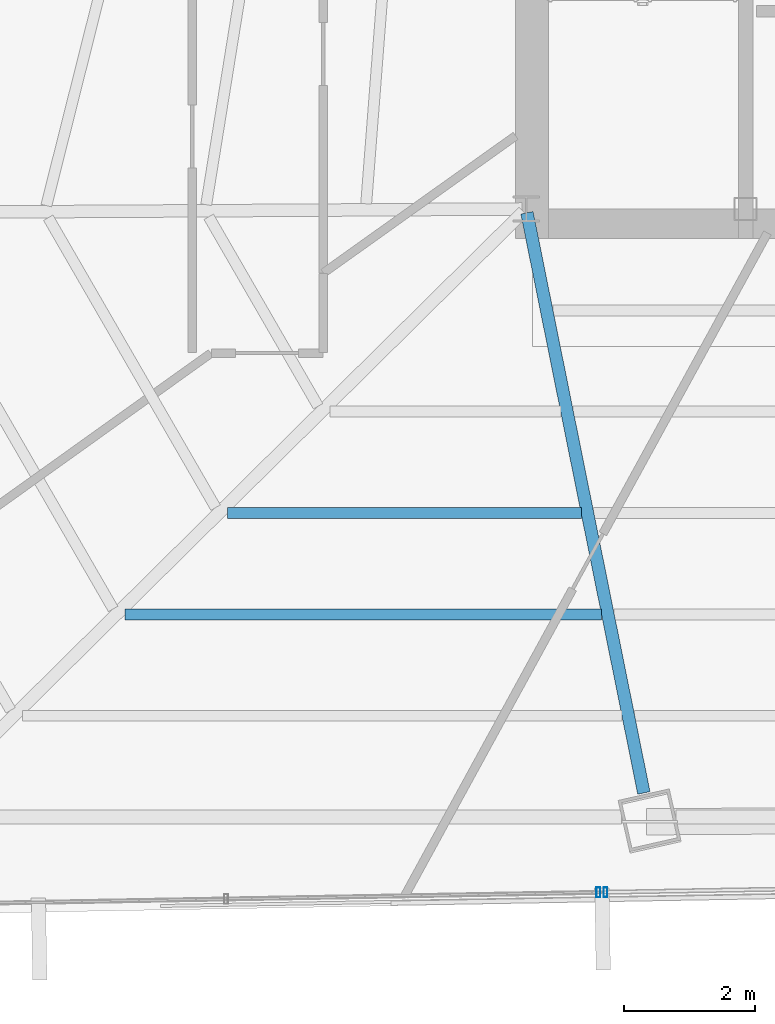
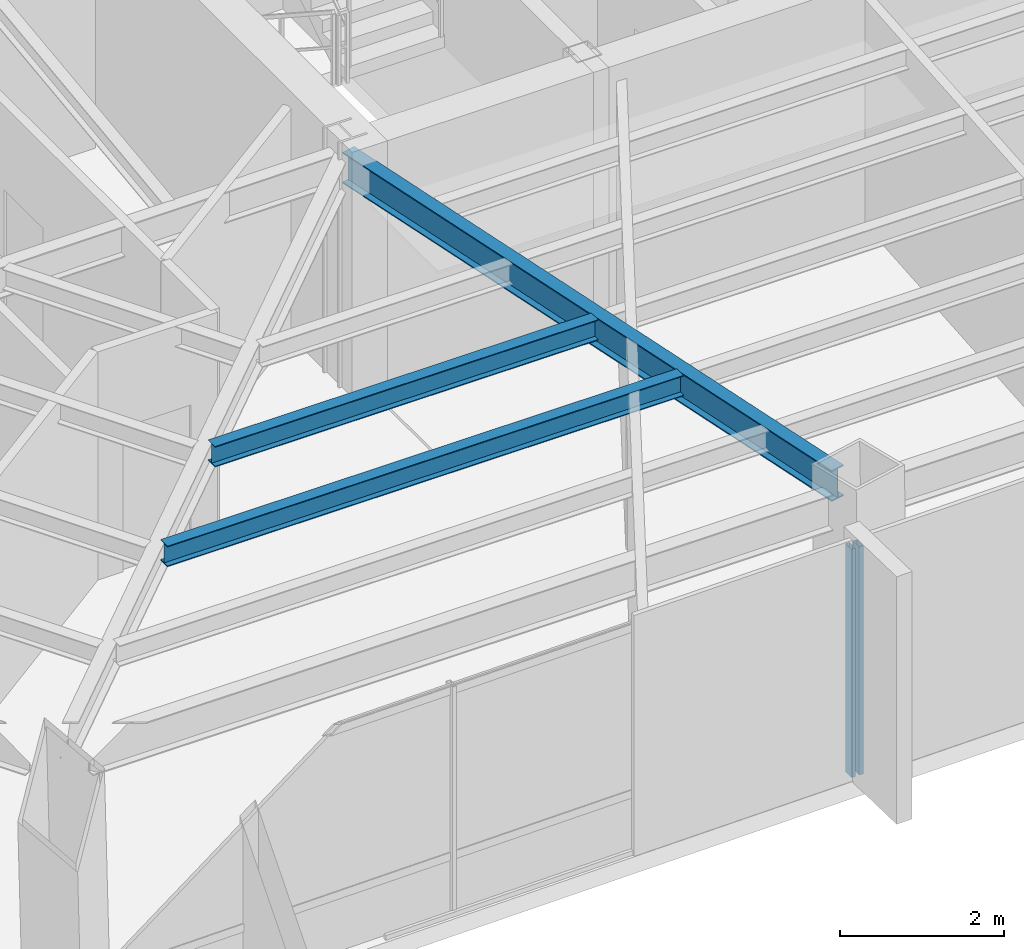
# One storey, part 12 of 42: 3 beams, 2 members, 2 elements without a shape of their own.
"""IFC4 building model written with IfcOpenShell, lengths in metres."""

import ifcopenshell
import ifcopenshell.guid

model = None  # the IFC model being written
_history = None  # IfcOwnerHistory: only IFC2X3 demands one
_inside = {}  # id of a spatial element -> (the spatial element, [elements in it])
_under = {}  # id of a project, library or spatial element -> (it, [spatial elements below it])
_declared = {}  # id of a project -> (the project, [libraries it declares])
_typed = {}  # id of a type object -> (the type object, [elements of that type])
_made_of = {}  # id of a material, layer set ... -> (it, [elements and type objects made of it])


def new_model(schema):
    """Start an empty IFC model of exactly this schema.

    Asked for "IFC4X3", IfcOpenShell would pick the latest addendum, in which some entities
    have other attributes; the version numbers below select the first issue.
    IFC2X3 requires an IfcOwnerHistory on every rooted entity: one is made here for all.
    """
    global model, _history
    if schema == "IFC4X3":
        model = ifcopenshell.file(schema_version=(4, 3, 0, 0))
    else:
        model = ifcopenshell.file(schema=schema)
    _inside.clear()
    _under.clear()
    _declared.clear()
    _typed.clear()
    _made_of.clear()
    _history = None
    if model.schema == "IFC2X3":
        org = make("IfcOrganization", Name="unknown")
        user = make(
            "IfcPersonAndOrganization",
            ThePerson=make("IfcPerson", FamilyName="unknown"),
            TheOrganization=org,
        )
        app = make(
            "IfcApplication",
            ApplicationDeveloper=org,
            Version="unknown",
            ApplicationFullName="unknown",
            ApplicationIdentifier="unknown",
        )
        _history = make(
            "IfcOwnerHistory",
            OwningUser=user,
            OwningApplication=app,
            ChangeAction="ADDED",
            CreationDate=0,
        )
    return model


def make(cls, **values):
    """One entity of the class cls with the attributes given. An attribute that is None is left unset."""
    return model.create_entity(
        cls, **{name: value for name, value in values.items() if value is not None}
    )


def rooted(cls, **values):
    """An entity with a GlobalId (a new one), such as an element, a storey or a relation."""
    return make(cls, GlobalId=ifcopenshell.guid.new(), OwnerHistory=_history, **values)


def si_unit(unit_type, name, prefix=None):
    """IfcSIUnit, for example si_unit("LENGTHUNIT", "METRE", prefix="MILLI")."""
    return make("IfcSIUnit", UnitType=unit_type, Prefix=prefix, Name=name)


def assignment(units):
    """IfcUnitAssignment: the units of a project."""
    return None if units is None else make("IfcUnitAssignment", Units=units)


def point(xyz):
    """IfcCartesianPoint."""
    return None if xyz is None else make("IfcCartesianPoint", Coordinates=xyz)


def direction(xyz):
    """IfcDirection."""
    return None if xyz is None else make("IfcDirection", DirectionRatios=xyz)


def frame(location, z_axis=None, x_axis=None):
    """IfcAxis2Placement3D, a coordinate frame: its origin and axes. An axis left out is left unset."""
    return make(
        "IfcAxis2Placement3D",
        Location=point(location),
        Axis=direction(z_axis),
        RefDirection=direction(x_axis),
    )


def frame_2d(location, x_axis=None):
    """IfcAxis2Placement2D, a coordinate frame in the plane: its origin and x axis."""
    return make(
        "IfcAxis2Placement2D", Location=point(location), RefDirection=direction(x_axis)
    )


def origin():
    """The frame at (0, 0, 0) with its axes left unset."""
    return frame((0.0, 0.0, 0.0))


def origin_2d():
    """The frame at (0, 0) in the plane with its x axis left unset."""
    return frame_2d((0.0, 0.0))


def place(relative_to, where):
    """IfcLocalPlacement: puts the frame where relative to a parent placement (None: the world)."""
    return make(
        "IfcLocalPlacement", PlacementRelTo=relative_to, RelativePlacement=where
    )


def context(
    kind, dimensions, precision=None, world=None, true_north=None, identifier=None
):
    """IfcGeometricRepresentationContext, for example the 3D "Model" context."""
    return make(
        "IfcGeometricRepresentationContext",
        ContextIdentifier=identifier,
        ContextType=kind,
        CoordinateSpaceDimension=dimensions,
        Precision=precision,
        WorldCoordinateSystem=world,
        TrueNorth=true_north,
    )


def subcontext(parent, identifier, kind, view, scale=None):
    """IfcGeometricRepresentationSubContext, for example "Body" below "Model"."""
    return make(
        "IfcGeometricRepresentationSubContext",
        ContextIdentifier=identifier,
        ContextType=kind,
        ParentContext=parent,
        TargetScale=scale,
        TargetView=view,
    )


def project(units=None, contexts=None):
    """IfcProject with its units and contexts."""
    return rooted(
        "IfcProject",
        Name="project",
        RepresentationContexts=contexts,
        UnitsInContext=assignment(units),
    )


def spatial(cls, under=None, at=None, **own):
    """A site, building, storey or space (cls), placed at a placement, below another one or the project."""
    s = rooted(cls, ObjectPlacement=at, **own)
    if under is not None:
        _under.setdefault(under.id(), (under, []))[1].append(s)
    return s


def profile(cls, at=None, kind="AREA", **sizes):
    """A parametric profile (cls). Its sizes go by their IFC names, for example OverallWidth=200.0."""
    return make(cls, ProfileType=kind, Position=at, **sizes)


def hollow_rectangle(**sizes):
    """IfcRectangleHollowProfileDef."""
    return profile("IfcRectangleHollowProfileDef", **sizes)


def i_section(**sizes):
    """IfcIShapeProfileDef."""
    return profile("IfcIShapeProfileDef", **sizes)


def extrude(swept, where, along, depth):
    """IfcExtrudedAreaSolid: the profile swept, set in the frame where, extruded along a direction by depth."""
    return make(
        "IfcExtrudedAreaSolid",
        SweptArea=swept,
        Position=where,
        ExtrudedDirection=direction(along),
        Depth=depth,
    )


def shape(context_of_items, identifier, shape_type, items):
    """IfcShapeRepresentation: the items that make up one representation, for example the "Body"."""
    return make(
        "IfcShapeRepresentation",
        ContextOfItems=context_of_items,
        RepresentationIdentifier=identifier,
        RepresentationType=shape_type,
        Items=items,
    )


def source(mapping_origin, context_of_items, identifier, shape_type, items):
    """IfcRepresentationMap: a shape defined once, which mapped items show again and again."""
    return make(
        "IfcRepresentationMap",
        MappingOrigin=mapping_origin,
        MappedRepresentation=shape(context_of_items, identifier, shape_type, items),
    )


def transform(
    local_origin,
    x_axis=None,
    y_axis=None,
    z_axis=None,
    scale=None,
    scale2=None,
    scale3=None,
    uniform=True,
):
    """IfcCartesianTransformationOperator3D, or its non-uniform kind. x_axis, y_axis, z_axis: its Axis1, 2, 3."""
    if uniform:
        return make(
            "IfcCartesianTransformationOperator3D",
            Axis1=direction(x_axis),
            Axis2=direction(y_axis),
            LocalOrigin=point(local_origin),
            Scale=scale,
            Axis3=direction(z_axis),
        )
    return make(
        "IfcCartesianTransformationOperator3DnonUniform",
        Axis1=direction(x_axis),
        Axis2=direction(y_axis),
        LocalOrigin=point(local_origin),
        Scale=scale,
        Axis3=direction(z_axis),
        Scale2=scale2,
        Scale3=scale3,
    )


def mapped(mapping_source, mapping_target):
    """IfcMappedItem: shows the shape of a source again, moved by a transform."""
    return make(
        "IfcMappedItem", MappingSource=mapping_source, MappingTarget=mapping_target
    )


def material(Name=None, Category=None):
    """IfcMaterial."""
    return make("IfcMaterial", Name=Name, Category=Category)


def material_profile(
    of_material, cross_section, Name=None, Category=None, Priority=None
):
    """IfcMaterialProfile: a cross section and its material."""
    return make(
        "IfcMaterialProfile",
        Name=Name,
        Material=of_material,
        Profile=cross_section,
        Priority=Priority,
        Category=Category,
    )


def profile_set(profiles, Name=None, composite=None):
    """IfcMaterialProfileSet."""
    return make(
        "IfcMaterialProfileSet",
        Name=Name,
        MaterialProfiles=profiles,
        CompositeProfile=composite,
    )


def made_of(thing, what):
    """Note that an element or type object is made of a material, layer set ...; save() writes the relation."""
    if what is not None:
        _made_of.setdefault(what.id(), (what, []))[1].append(thing)
    return thing


def type_object(cls, material=None, **own):
    """A type object (cls), such as IfcWallType, which elements share."""
    return made_of(rooted(cls, **own), material)


def type_shapes(of_type, sources):
    """Give a type object the sources (RepresentationMaps) that its elements show as mapped items."""
    of_type.RepresentationMaps = sources


def element(
    cls,
    number,
    at=None,
    inside=None,
    cuts=None,
    type_object=None,
    material=None,
    context=None,
    identifier="Body",
    shape_type=None,
    held_by="IfcProductDefinitionShape",
    body=None,
    shapes=None,
    **own,
):
    """One element of the class cls, such as IfcWall. Its Tag is "e" and its number.

    at: its placement. inside: the storey or other place that contains it. cuts: it is an
    opening in that element (IfcRelVoidsElement). A single representation is given by context,
    identifier, shape_type and body (its items); several are given by shapes. held_by: the class
    of the entity that holds the representations. save() writes the other relations.
    """
    e = rooted(cls, Tag="e%d" % number, ObjectPlacement=at, **own)
    if body is not None:
        shapes = [shape(context, identifier, shape_type, body)]
    if shapes is not None:
        e.Representation = make(held_by, Representations=shapes)
    if inside is not None:
        _inside.setdefault(inside.id(), (inside, []))[1].append(e)
    if cuts is not None:
        rooted(
            "IfcRelVoidsElement", RelatingBuildingElement=cuts, RelatedOpeningElement=e
        )
    if type_object is not None:
        _typed.setdefault(type_object.id(), (type_object, []))[1].append(e)
    return made_of(e, material)


def aggregate(whole, parts):
    """IfcRelAggregates: a whole, such as a stair, and the parts it consists of."""
    return rooted("IfcRelAggregates", RelatingObject=whole, RelatedObjects=parts)


def save(model, path):
    """Write the relations noted so far, then the file.

    IfcRelAggregates (storeys below a building ...), IfcRelContainedInSpatialStructure (elements
    in a storey), IfcRelDefinesByType, IfcRelAssociatesMaterial and IfcRelDeclares: one each for
    every whole, place, type object, material and project.
    """
    for whole, parts in _under.values():
        aggregate(whole, parts)
    for where, things in _inside.values():
        rooted(
            "IfcRelContainedInSpatialStructure",
            RelatedElements=things,
            RelatingStructure=where,
        )
    for kind, things in _typed.values():
        rooted("IfcRelDefinesByType", RelatedObjects=things, RelatingType=kind)
    for what, things in _made_of.values():
        rooted("IfcRelAssociatesMaterial", RelatedObjects=things, RelatingMaterial=what)
    for by, libraries in _declared.values():
        rooted("IfcRelDeclares", RelatingContext=by, RelatedDefinitions=libraries)
    model.write(path)


model = new_model("IFC4")

# Units and contexts
model_context = context("Model", 3, precision=1e-05, world=origin(), true_north=direction((0.0, 1.0)))
body_context = subcontext(model_context, "Body", "Model", "MODEL_VIEW")
ifc_project = project(units=[si_unit("LENGTHUNIT", "METRE"), si_unit("AREAUNIT", "SQUARE_METRE"), si_unit("VOLUMEUNIT", "CUBIC_METRE"), si_unit("PLANEANGLEUNIT", "RADIAN"), si_unit("MASSUNIT", "GRAM", prefix="KILO")], contexts=[model_context])

# Site, building, storey
site_placement = place(None, origin())
site = spatial("IfcSite", under=ifc_project, at=site_placement, CompositionType="ELEMENT")
building_placement = place(site_placement, origin())
building = spatial("IfcBuilding", under=site, at=building_placement, Name="Caelisora Broadcast Tower", CompositionType="ELEMENT")
storey_placement = place(building_placement, frame((0.0, 0.0, 191.35009765625)))
storey = spatial("IfcBuildingStorey", under=building, at=storey_placement, Name="L50", CompositionType="ELEMENT", Elevation=191.35009765625)

# Beams
ifc_material_1 = material(Name="Steel Grade 350 (AS/NZS 3679.1)", Category="steel")
ifc_material_profile_1 = material_profile(ifc_material_1, i_section(OverallWidth=0.19091796875, OverallDepth=0.46044921875, WebThickness=0.010009765625, FlangeThickness=0.01611328125, at=origin_2d()), Name="Steel Grade 350 (AS/NZS 3679.1)")
ifc_profile_set_1 = profile_set([ifc_material_profile_1], Name="Steel Grade 350 (AS/NZS 3679.1)")
beam_type_1 = type_object("IfcBeamType", Name="PG06", PredefinedType="BEAM", material=ifc_profile_set_1)
shared_shape_1 = source(origin(), body_context, "Body", "SweptSolid", [
    extrude(i_section(OverallWidth=0.19091796875, OverallDepth=0.46044921875, WebThickness=0.010009765625, FlangeThickness=0.01611328125, at=origin_2d()), origin(), (0.0, 0.0, 1.0), 9.034912109375),
])
type_shapes(beam_type_1, [shared_shape_1])
beam_1_placement = place(storey_placement, frame((30.511962890625, 17.34130859375, 3.169677734375), z_axis=(0.197529379552, -0.980296967359, 0.0), x_axis=(0.980296967359, 0.197529379552, 0.0)))
element("IfcBeam", 1, at=beam_1_placement, inside=storey, type_object=beam_type_1, Name="L50 beam PG06", PredefinedType="BEAM", context=body_context, shape_type="MappedRepresentation", body=[
    mapped(shared_shape_1, transform((0.0, 0.0, 0.0), scale=1.0)),
])
ifc_material_profile_2 = material_profile(ifc_material_1, i_section(OverallWidth=0.166015625, OverallDepth=0.30712890625, WebThickness=0.006591796875, FlangeThickness=0.01171875, at=origin_2d()), Name="Steel Grade 350 (AS/NZS 3679.1)")
ifc_profile_set_2 = profile_set([ifc_material_profile_2], Name="Steel Grade 350 (AS/NZS 3679.1)")
beam_type_2 = type_object("IfcBeamType", Name="SB03", PredefinedType="JOIST", material=ifc_profile_set_2)
shared_shape_2 = source(origin(), body_context, "Body", "SweptSolid", [
    extrude(i_section(OverallWidth=0.166015625, OverallDepth=0.30712890625, WebThickness=0.006591796875, FlangeThickness=0.01171875, at=origin_2d()), origin(), (0.0, 0.0, 1.0), 5.401611328125),
])
beam_2_placement = place(storey_placement, frame((25.939453125, 12.7578125, 3.246337890625), z_axis=(1.0, 0.0, 0.0), x_axis=(0.0, 1.0, 0.0)))
element("IfcBeam", 2, at=beam_2_placement, inside=storey, type_object=beam_type_2, Name="L50 beam SB03", PredefinedType="JOIST", context=body_context, shape_type="MappedRepresentation", body=[
    mapped(shared_shape_2, transform((0.0, 0.0, 0.0), scale=1.0)),
])
shared_shape_3 = source(origin(), body_context, "Body", "SweptSolid", [
    extrude(i_section(OverallWidth=0.166015625, OverallDepth=0.30712890625, WebThickness=0.006591796875, FlangeThickness=0.01171875, at=origin_2d()), origin(), (0.0, 0.0, 1.0), 7.27783203125),
])
type_shapes(beam_type_2, [shared_shape_2, shared_shape_3])
beam_3_placement = place(storey_placement, frame((24.375, 11.21044921875, 3.246337890625), z_axis=(1.0, 0.0, 0.0), x_axis=(0.0, 1.0, 0.0)))
element("IfcBeam", 3, at=beam_3_placement, inside=storey, type_object=beam_type_2, Name="L50 beam SB03", PredefinedType="JOIST", context=body_context, shape_type="MappedRepresentation", body=[
    mapped(shared_shape_3, transform((0.0, 0.0, 0.0), scale=1.0)),
])

# Curtain wall, member
ifc_material_2 = material(Name="Unitised Aluminium Insulated Shadow-Box Spandrel Curtain Wall", Category="aluminium")
curtain_wall_type_1 = type_object("IfcCurtainWallType", Name="CW-SP2", PredefinedType="NOTDEFINED", material=ifc_material_2)
curtain_wall_1_placement = place(storey_placement, origin())
curtain_wall_1 = element("IfcCurtainWall", 4, at=curtain_wall_1_placement, inside=storey, type_object=curtain_wall_type_1, Name="L50 curtain wall CW-SP2", PredefinedType="NOTDEFINED")
ifc_material_3 = material(Name="Aluminium 6063-T6 Anodised Terracotta Bronze", Category="aluminium")
ifc_material_profile_3 = material_profile(ifc_material_3, hollow_rectangle(XDim=0.06005859375, YDim=0.14990234375, WallThickness=0.00341796875, at=origin_2d()), Name="Aluminium 6063-T6 Anodised Terracotta Bronze")
ifc_profile_set_3 = profile_set([ifc_material_profile_3], Name="Aluminium 6063-T6 Anodised Terracotta Bronze")
member_type = type_object("IfcMemberType", Name="CWM-03", PredefinedType="MULLION", material=ifc_profile_set_3)
shared_shape_4 = source(origin(), body_context, "Body", "SweptSolid", [
    extrude(hollow_rectangle(XDim=0.06005859375, YDim=0.14990234375, WallThickness=0.00341796875, at=origin_2d()), origin(), (0.0, 0.0, 1.0), 3.39990234375),
])
type_shapes(member_type, [shared_shape_4])
member_1_placement = place(storey_placement, frame((31.711181640625, 6.968017578125, 0.0), z_axis=(0.0, 0.0, 1.0), x_axis=(1.0, 0.0, 0.0)))
member_1 = element("IfcMember", 5, at=member_1_placement, type_object=member_type, Name="L50-CW-B06 mullion #3", PredefinedType="MULLION", context=body_context, shape_type="MappedRepresentation", body=[
    mapped(shared_shape_4, transform((0.0, 0.0, 0.0), scale=1.0)),
])
aggregate(curtain_wall_1, [member_1])

ifc_material_4 = material(Name="Unitised Aluminium and Low-E Glass Curtain Wall", Category="glass")
curtain_wall_type_2 = type_object("IfcCurtainWallType", Name="CW-Z4", PredefinedType="NOTDEFINED", material=ifc_material_4)
curtain_wall_2_placement = place(storey_placement, origin())
curtain_wall_2 = element("IfcCurtainWall", 6, at=curtain_wall_2_placement, inside=storey, type_object=curtain_wall_type_2, Name="L50 curtain wall CW-Z4", PredefinedType="NOTDEFINED")
member_2_placement = place(storey_placement, frame((31.601318359375, 6.966064453125, 0.0), z_axis=(0.0, 0.0, 1.0), x_axis=(1.0, 0.0, 0.0)))
member_2 = element("IfcMember", 7, at=member_2_placement, type_object=member_type, Name="L50-CW-B07 mullion #0", PredefinedType="MULLION", context=body_context, shape_type="MappedRepresentation", body=[
    mapped(shared_shape_4, transform((0.0, 0.0, 0.0), scale=1.0)),
])
aggregate(curtain_wall_2, [member_2])

save(model, "model.ifc")
